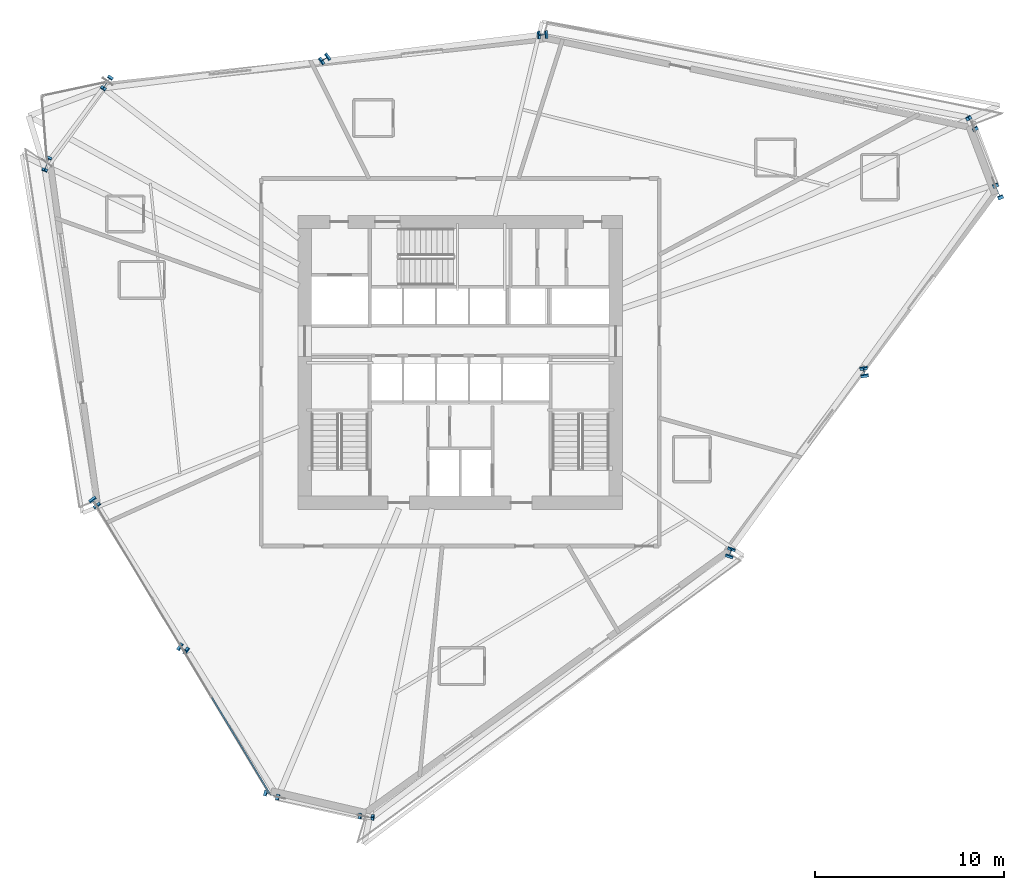
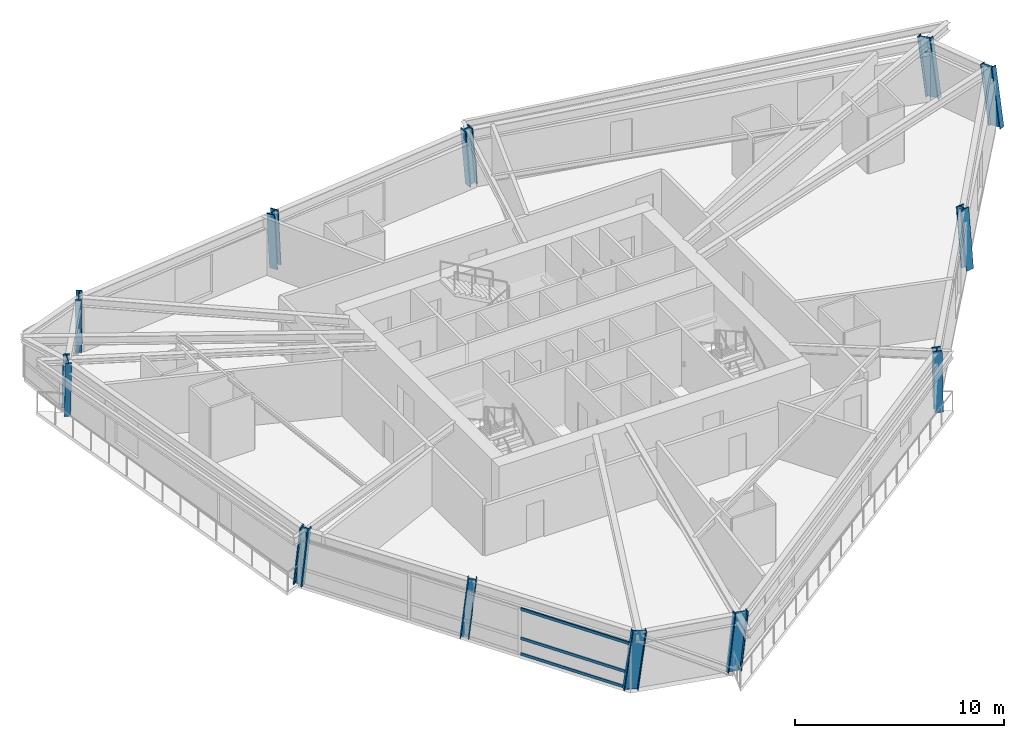
# One storey, part 1 of 18: 12 columns, 3 members, 1 element without a shape of its own.
"""IFC4 building model written with IfcOpenShell, lengths in metres."""

from ifc_helpers import new_model, si_unit, direction, frame, origin, origin_2d, place, context, subcontext, project, spatial, hollow_rectangle, i_section, extrude, source, transform, mapped, material, material_profile, profile_set, type_object, element, aggregate, save


model = new_model("IFC4")

# Units and contexts
model_context = context("Model", 3, precision=1e-05, world=origin(), true_north=direction((0.0, 1.0)))
body_context = subcontext(model_context, "Body", "Model", "MODEL_VIEW")
ifc_project = project(units=[si_unit("LENGTHUNIT", "METRE"), si_unit("AREAUNIT", "SQUARE_METRE"), si_unit("VOLUMEUNIT", "CUBIC_METRE"), si_unit("PLANEANGLEUNIT", "RADIAN"), si_unit("MASSUNIT", "GRAM", prefix="KILO")], contexts=[model_context])

# Site, building, storey
site_placement = place(None, origin())
site = spatial("IfcSite", under=ifc_project, at=site_placement, CompositionType="ELEMENT")
building_placement = place(site_placement, origin())
building = spatial("IfcBuilding", under=site, at=building_placement, Name="Olszyna Solenne Hotel", CompositionType="ELEMENT")
storey_placement = place(building_placement, frame((0.0, 0.0, 119.89990234375)))
storey = spatial("IfcBuildingStorey", under=building, at=storey_placement, Name="L31", CompositionType="ELEMENT", Elevation=119.89990234375)

# Columns
ifc_material_1 = material(Name="Steel S460M", Category="steel")
ifc_material_profile_1 = material_profile(ifc_material_1, i_section(OverallWidth=0.41796875, OverallDepth=0.455078125, WebThickness=0.03759765625, FlangeThickness=0.05908203125, at=origin_2d()), Name="HD 400x551", Category="load-bearing")
ifc_profile_set_1 = profile_set([ifc_material_profile_1], Name="Steel S460M")
column_type_1 = type_object("IfcColumnType", Name="COL-T2", PredefinedType="COLUMN", material=ifc_profile_set_1)
shared_shape_1 = source(origin(), body_context, "Body", "SweptSolid", [
    extrude(i_section(OverallWidth=0.41796875, OverallDepth=0.455078125, WebThickness=0.03759765625, FlangeThickness=0.05908203125, at=origin_2d()), origin(), (0.0, 0.0, 1.0), 3.39892578125),
])
column_1_placement = place(storey_placement, frame((30.85400390625, 42.722900390625, 0.0), z_axis=(-0.074056478472, -0.051573764833, 0.995919567424), x_axis=(0.571484182627, -0.820613081182, 0.0)))
element("IfcColumn", 1, at=column_1_placement, inside=storey, type_object=column_type_1, Name="Perimeter framed-tube column COL-T2 C-L31-04", PredefinedType="COLUMN", context=body_context, shape_type="MappedRepresentation", body=[
    mapped(shared_shape_1, transform((0.0, 0.0, 0.0), x_axis=(1.0, 0.0, 0.0), y_axis=(0.0, 1.0, 0.0), z_axis=(0.0, 0.0, 1.0), scale=1.0)),
])
shared_shape_2 = source(origin(), body_context, "Body", "SweptSolid", [
    extrude(i_section(OverallWidth=0.41796875, OverallDepth=0.455078125, WebThickness=0.03759765625, FlangeThickness=0.05908203125, at=origin_2d()), origin(), (0.0, 0.0, 1.0), 3.397705078125),
])
column_2_placement = place(storey_placement, frame((52.30908203125, 16.448974609375, 0.0), z_axis=(0.026872697938, 0.082486249285, 0.996229831306), x_axis=(-0.950814714798, 0.309760194542, 0.0)))
element("IfcColumn", 2, at=column_2_placement, inside=storey, type_object=column_type_1, Name="Perimeter framed-tube column COL-T2 C-L31-11", PredefinedType="COLUMN", context=body_context, shape_type="MappedRepresentation", body=[
    mapped(shared_shape_2, transform((0.0, 0.0, 0.0), x_axis=(1.0, 0.0, 0.0), y_axis=(0.0, 1.0, 0.0), z_axis=(0.0, 0.0, 1.0), scale=1.0)),
])
shared_shape_3 = source(origin(), body_context, "Body", "SweptSolid", [
    extrude(i_section(OverallWidth=0.41796875, OverallDepth=0.455078125, WebThickness=0.03759765625, FlangeThickness=0.05908203125, at=origin_2d()), origin(), (0.0, 0.0, 1.0), 3.405029296875),
])
column_3_placement = place(storey_placement, frame((59.432861328125, 26.015380859375, 0.0), z_axis=(-0.014914033004, 0.106979505973, 0.994149363487), x_axis=(-0.990421791636, -0.138074887842, 0.0)))
element("IfcColumn", 3, at=column_3_placement, inside=storey, type_object=column_type_1, Name="Perimeter framed-tube column COL-T2 C-L31-12", PredefinedType="COLUMN", context=body_context, shape_type="MappedRepresentation", body=[
    mapped(shared_shape_3, transform((0.0, 0.0, 0.0), x_axis=(1.0, 0.0, 0.0), y_axis=(0.0, 1.0, 0.0), z_axis=(0.0, 0.0, 1.0), scale=1.0)),
])
ifc_material_profile_2 = material_profile(ifc_material_1, i_section(OverallWidth=0.303955078125, OverallDepth=0.716064453125, WebThickness=0.02099609375, FlangeThickness=0.0400390625, at=origin_2d()), Name="HEM 700", Category="load-bearing")
ifc_profile_set_2 = profile_set([ifc_material_profile_2], Name="Steel S460M")
column_type_2 = type_object("IfcColumnType", Name="COL-K2", PredefinedType="COLUMN", material=ifc_profile_set_2)
shared_shape_4 = source(origin(), body_context, "Body", "SweptSolid", [
    extrude(i_section(OverallWidth=0.303955078125, OverallDepth=0.716064453125, WebThickness=0.02099609375, FlangeThickness=0.0400390625, at=origin_2d()), origin(), (0.0, 0.0, 1.0), 3.404052734375),
])
column_4_placement = place(storey_placement, frame((16.090087890625, 37.18017578125, 0.0), z_axis=(-0.035071915278, -0.099478009184, 0.994421483299), x_axis=(0.94310325707, -0.332499994742, 0.0)))
element("IfcColumn", 4, at=column_4_placement, inside=storey, type_object=column_type_2, Name="Perimeter framed-tube column COL-K2 C-L31-06", PredefinedType="COLUMN", context=body_context, shape_type="MappedRepresentation", body=[
    mapped(shared_shape_4, transform((0.0, 0.0, 0.0), x_axis=(1.0, 0.0, 0.0), y_axis=(0.0, 1.0, 0.0), z_axis=(0.0, 0.0, 1.0), scale=1.0)),
])
shared_shape_5 = source(origin(), body_context, "Body", "SweptSolid", [
    extrude(i_section(OverallWidth=0.303955078125, OverallDepth=0.716064453125, WebThickness=0.02099609375, FlangeThickness=0.0400390625, at=origin_2d()), origin(), (0.0, 0.0, 1.0), 3.405029296875),
])
column_5_placement = place(storey_placement, frame((32.95458984375, 2.50390625, 0.0), z_axis=(0.107551210574, -0.011615530742, 0.994131689742), x_axis=(0.107375600964, 0.994218527446, 0.0)))
element("IfcColumn", 5, at=column_5_placement, inside=storey, type_object=column_type_2, Name="Perimeter framed-tube column COL-K2 C-L31-10", PredefinedType="COLUMN", context=body_context, shape_type="MappedRepresentation", body=[
    mapped(shared_shape_5, transform((0.0, 0.0, 0.0), x_axis=(1.0, 0.0, 0.0), y_axis=(0.0, 1.0, 0.0), z_axis=(0.0, 0.0, 1.0), scale=1.0)),
])
shared_shape_6 = source(origin(), body_context, "Body", "SweptSolid", [
    extrude(i_section(OverallWidth=0.303955078125, OverallDepth=0.716064453125, WebThickness=0.02099609375, FlangeThickness=0.0400390625, at=origin_2d()), origin(), (0.0, 0.0, 1.0), 3.408203125),
])
column_6_placement = place(storey_placement, frame((19.29150390625, 41.4755859375, 0.0), z_axis=(-0.064039664093, -0.09734888535, 0.993187855314), x_axis=(0.835439365716, -0.549582629103, 0.0)))
element("IfcColumn", 6, at=column_6_placement, inside=storey, type_object=column_type_2, Name="Perimeter framed-tube column COL-K2 C-L31-05", PredefinedType="COLUMN", context=body_context, shape_type="MappedRepresentation", body=[
    mapped(shared_shape_6, transform((0.0, 0.0, 0.0), x_axis=(1.0, 0.0, 0.0), y_axis=(0.0, 1.0, 0.0), z_axis=(0.0, 0.0, 1.0), scale=1.0)),
])
shared_shape_7 = source(origin(), body_context, "Body", "SweptSolid", [
    extrude(i_section(OverallWidth=0.41796875, OverallDepth=0.455078125, WebThickness=0.03759765625, FlangeThickness=0.05908203125, at=origin_2d()), origin(), (0.0, 0.0, 1.0), 3.402099609375),
])
column_7_placement = place(storey_placement, frame((18.576171875, 19.21044921875, 0.0), z_axis=(0.060711197165, -0.079441247354, 0.994989064642), x_axis=(0.794541150271, 0.607210309963, 0.0)))
element("IfcColumn", 7, at=column_7_placement, inside=storey, type_object=column_type_1, Name="Perimeter framed-tube column COL-T2 C-L31-07", PredefinedType="COLUMN", context=body_context, shape_type="MappedRepresentation", body=[
    mapped(shared_shape_7, transform((0.0, 0.0, 0.0), x_axis=(1.0, 0.0, 0.0), y_axis=(0.0, 1.0, 0.0), z_axis=(0.0, 0.0, 1.0), scale=1.0)),
])
shared_shape_8 = source(origin(), body_context, "Body", "SweptSolid", [
    extrude(i_section(OverallWidth=0.303955078125, OverallDepth=0.716064453125, WebThickness=0.02099609375, FlangeThickness=0.0400390625, at=origin_2d()), origin(), (0.0, 0.0, 1.0), 3.410888671875),
])
column_8_placement = place(storey_placement, frame((27.926513671875, 3.664794921875, 0.0), z_axis=(0.116885882362, -0.037936018158, 0.992420550488), x_axis=(0.308704106049, 0.951158122979, 0.0)))
element("IfcColumn", 8, at=column_8_placement, inside=storey, type_object=column_type_2, Name="Perimeter framed-tube column COL-K2 C-L31-09", PredefinedType="COLUMN", context=body_context, shape_type="MappedRepresentation", body=[
    mapped(shared_shape_8, transform((0.0, 0.0, 0.0), x_axis=(1.0, 0.0, 0.0), y_axis=(0.0, 1.0, 0.0), z_axis=(0.0, 0.0, 1.0), scale=1.0)),
])
shared_shape_9 = source(origin(), body_context, "Body", "SweptSolid", [
    extrude(i_section(OverallWidth=0.303955078125, OverallDepth=0.716064453125, WebThickness=0.02099609375, FlangeThickness=0.0400390625, at=origin_2d()), origin(), (0.0, 0.0, 1.0), 3.419921875),
])
column_9_placement = place(storey_placement, frame((66.556640625, 35.581787109375, 0.0), z_axis=(-0.05632334247, 0.131135589503, 0.989763172814), x_axis=(-0.918834286781, -0.394643577719, 0.0)))
element("IfcColumn", 9, at=column_9_placement, inside=storey, type_object=column_type_2, Name="Perimeter framed-tube column COL-K2 C-L31-01", PredefinedType="COLUMN", context=body_context, shape_type="MappedRepresentation", body=[
    mapped(shared_shape_9, transform((0.0, 0.0, 0.0), x_axis=(1.0, 0.0, 0.0), y_axis=(0.0, 1.0, 0.0), z_axis=(0.0, 0.0, 1.0), scale=1.0)),
])
shared_shape_10 = source(origin(), body_context, "Body", "SweptSolid", [
    extrude(i_section(OverallWidth=0.303955078125, OverallDepth=0.716064453125, WebThickness=0.02099609375, FlangeThickness=0.0400390625, at=origin_2d()), origin(), (0.0, 0.0, 1.0), 3.41552734375),
])
column_10_placement = place(storey_placement, frame((65.180908203125, 39.19384765625, 0.0), z_axis=(-0.068833353091, 0.114436342989, 0.991043032822), x_axis=(-0.856925676529, -0.515439991566, 0.0)))
element("IfcColumn", 10, at=column_10_placement, inside=storey, type_object=column_type_2, Name="Perimeter framed-tube column COL-K2 C-L31-02", PredefinedType="COLUMN", context=body_context, shape_type="MappedRepresentation", body=[
    mapped(shared_shape_10, transform((0.0, 0.0, 0.0), x_axis=(1.0, 0.0, 0.0), y_axis=(0.0, 1.0, 0.0), z_axis=(0.0, 0.0, 1.0), scale=1.0)),
])
shared_shape_11 = source(origin(), body_context, "Body", "SweptSolid", [
    extrude(i_section(OverallWidth=0.41796875, OverallDepth=0.455078125, WebThickness=0.03759765625, FlangeThickness=0.05908203125, at=origin_2d()), origin(), (0.0, 0.0, 1.0), 3.39697265625),
])
column_11_placement = place(storey_placement, frame((42.4169921875, 43.969970703125, 0.0), z_axis=(-0.08401367615, -0.00546196697, 0.996449632012), x_axis=(0.064875871655, -0.997893341634, 0.0)))
element("IfcColumn", 11, at=column_11_placement, inside=storey, type_object=column_type_1, Name="Perimeter framed-tube column COL-T2 C-L31-03", PredefinedType="COLUMN", context=body_context, shape_type="MappedRepresentation", body=[
    mapped(shared_shape_11, transform((0.0, 0.0, 0.0), x_axis=(1.0, 0.0, 0.0), y_axis=(0.0, 1.0, 0.0), z_axis=(0.0, 0.0, 1.0), scale=1.0)),
])
shared_shape_12 = source(origin(), body_context, "Body", "SweptSolid", [
    extrude(i_section(OverallWidth=0.41796875, OverallDepth=0.455078125, WebThickness=0.03759765625, FlangeThickness=0.05908203125, at=origin_2d()), origin(), (0.0, 0.0, 1.0), 3.404296875),
])
column_12_placement = place(storey_placement, frame((23.25146484375, 11.4375, 0.0), z_axis=(0.088782597364, -0.058662491634, 0.994322061749), x_axis=(0.551274020056, 0.834324250403, 0.0)))
element("IfcColumn", 12, at=column_12_placement, inside=storey, type_object=column_type_1, Name="Perimeter framed-tube column COL-T2 C-L31-08", PredefinedType="COLUMN", context=body_context, shape_type="MappedRepresentation", body=[
    mapped(shared_shape_12, transform((0.0, 0.0, 0.0), x_axis=(1.0, 0.0, 0.0), y_axis=(0.0, 1.0, 0.0), z_axis=(0.0, 0.0, 1.0), scale=1.0)),
])

# Curtain wall, members
ifc_material_2 = material(Name="Anodised bronze aluminium", Category="aluminium")
curtain_wall_type = type_object("IfcCurtainWallType", Name="CW-SYS-3", PredefinedType="NOTDEFINED", material=ifc_material_2)
curtain_wall_placement = place(storey_placement, origin())
curtain_wall = element("IfcCurtainWall", 13, at=curtain_wall_placement, inside=storey, type_object=curtain_wall_type, Name="Unitised curtain wall CW-SYS-3 CW-L31-01", PredefinedType="NOTDEFINED")
ifc_material_profile_3 = material_profile(ifc_material_2, hollow_rectangle(XDim=0.074951171875, YDim=0.159912109375, WallThickness=0.00390625, at=origin_2d()), Name="TRAN 160x75x4", Category="load-bearing")
ifc_profile_set_3 = profile_set([ifc_material_profile_3], Name="Anodised bronze aluminium")
member_type = type_object("IfcMemberType", Name="CW-T1", PredefinedType="USERDEFINED", material=ifc_profile_set_3)
shared_shape_13 = source(origin(), body_context, "Body", "SweptSolid", [
    extrude(hollow_rectangle(XDim=0.074951171875, YDim=0.159912109375, WallThickness=0.00390625, at=origin_2d()), origin(), (0.0, 0.0, 1.0), 5.9345703125),
])
member_1_placement = place(storey_placement, frame((24.8291015625, 8.814453125, 0.03759765625), z_axis=(0.515433179808, -0.856929773758, 0.0), x_axis=(0.856929773758, 0.515433179808, 0.0)))
member_1 = element("IfcMember", 14, at=member_1_placement, type_object=member_type, Name="Curtain-wall transom CW-T1 CT-L31-01-07", ObjectType="TRANSOM", PredefinedType="USERDEFINED", context=body_context, shape_type="MappedRepresentation", body=[
    mapped(shared_shape_13, transform((0.0, 0.0, 0.0), x_axis=(1.0, 0.0, 0.0), y_axis=(0.0, 1.0, 0.0), z_axis=(0.0, 0.0, 1.0), scale=1.0)),
])
member_2_placement = place(storey_placement, frame((24.8291015625, 8.814453125, 0.9501953125), z_axis=(0.515433179808, -0.856929773758, 0.0), x_axis=(0.856929773758, 0.515433179808, 0.0)))
member_2 = element("IfcMember", 15, at=member_2_placement, type_object=member_type, Name="Curtain-wall transom CW-T1 CT-L31-01-08", ObjectType="TRANSOM", PredefinedType="USERDEFINED", context=body_context, shape_type="MappedRepresentation", body=[
    mapped(shared_shape_13, transform((0.0, 0.0, 0.0), x_axis=(1.0, 0.0, 0.0), y_axis=(0.0, 1.0, 0.0), z_axis=(0.0, 0.0, 1.0), scale=1.0)),
])
member_3_placement = place(storey_placement, frame((24.8291015625, 8.814453125, 2.654541015625), z_axis=(0.515433179808, -0.856929773758, 0.0), x_axis=(0.856929773758, 0.515433179808, 0.0)))
member_3 = element("IfcMember", 16, at=member_3_placement, type_object=member_type, Name="Curtain-wall transom CW-T1 CT-L31-01-09", ObjectType="TRANSOM", PredefinedType="USERDEFINED", context=body_context, shape_type="MappedRepresentation", body=[
    mapped(shared_shape_13, transform((0.0, 0.0, 0.0), x_axis=(1.0, 0.0, 0.0), y_axis=(0.0, 1.0, 0.0), z_axis=(0.0, 0.0, 1.0), scale=1.0)),
])
aggregate(curtain_wall, [member_1, member_2, member_3])

save(model, "model.ifc")
